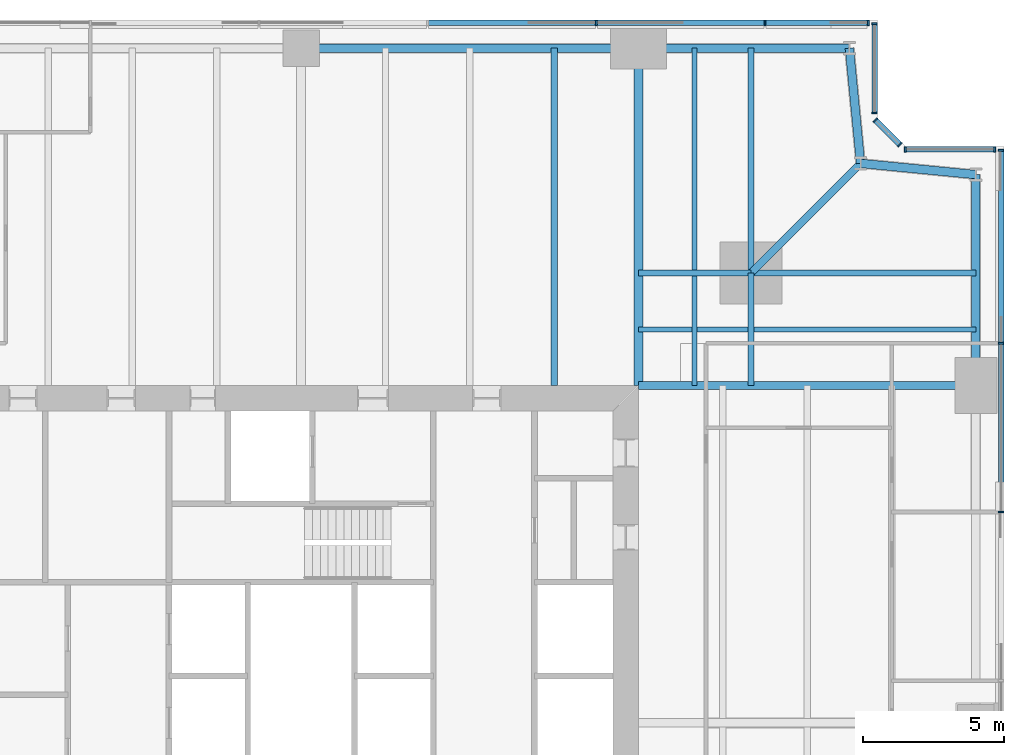
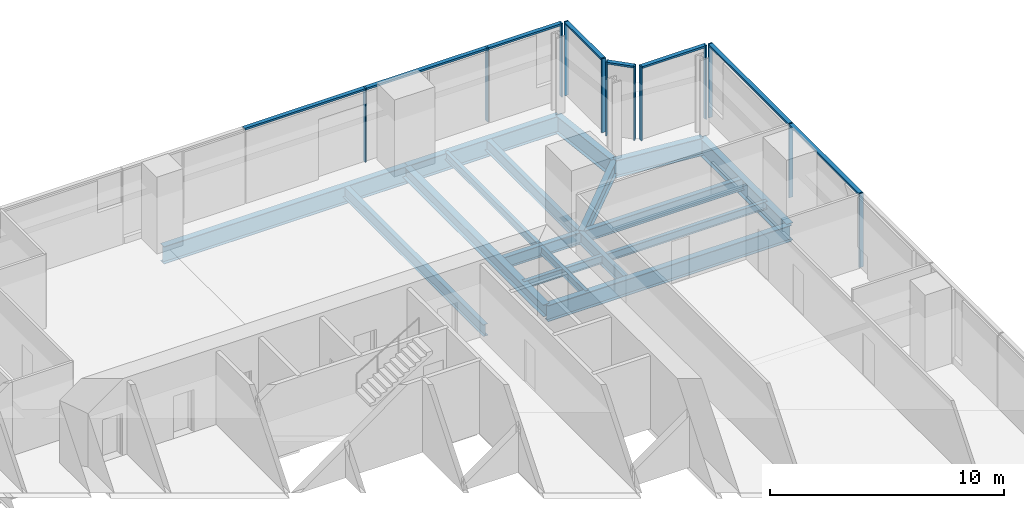
# One storey, part 7 of 14: 20 members, 18 beams, 5 elements without a shape of their own.
"""IFC4 building model written with IfcOpenShell, lengths in metres."""

from ifc_helpers import new_model, si_unit, direction, frame, origin, origin_2d, place, context, subcontext, project, spatial, rectangle, i_section, extrude, material, material_profile, profile_set, type_object, element, aggregate, save


model = new_model("IFC4")

# Units and contexts
model_context = context("Model", 3, precision=1e-05, world=origin(), true_north=direction((0.0, 1.0)))
body_context = subcontext(model_context, "Body", "Model", "MODEL_VIEW")
ifc_project = project(units=[si_unit("LENGTHUNIT", "METRE"), si_unit("AREAUNIT", "SQUARE_METRE"), si_unit("VOLUMEUNIT", "CUBIC_METRE"), si_unit("PLANEANGLEUNIT", "RADIAN"), si_unit("MASSUNIT", "GRAM", prefix="KILO")], contexts=[model_context])

# Site, building, storey
site_placement = place(None, origin())
site = spatial("IfcSite", under=ifc_project, at=site_placement, CompositionType="ELEMENT")
building_placement = place(site_placement, origin())
building = spatial("IfcBuilding", under=site, at=building_placement, Name="Fenwick Lantern Interchange", CompositionType="ELEMENT")
storey_placement = place(building_placement, frame((0.0, 0.0, 150.39990234375)))
storey = spatial("IfcBuildingStorey", under=building, at=storey_placement, Name="L35", CompositionType="ELEMENT", Elevation=150.39990234375)

# Beams
ifc_material_1 = material(Name="Steel ASTM A992 Grade 50", Category="steel")
ifc_material_profile_1 = material_profile(ifc_material_1, i_section(OverallWidth=0.3046875, OverallDepth=0.911865234375, WebThickness=0.015869140625, FlangeThickness=0.02392578125, at=origin_2d()), Name="W36X150")
ifc_profile_set_1 = profile_set([ifc_material_profile_1], Name="Steel ASTM A992 Grade 50")
beam_type_1 = type_object("IfcBeamType", Name="EDGE BEAM W36X150", PredefinedType="SPANDREL", material=ifc_profile_set_1)
beam_1_placement = place(storey_placement, frame((49.0, 37.0, -0.605712890625), z_axis=(0.0, 1.0, 0.0), x_axis=(-1.0, 0.0, 0.0)))
element("IfcBeam", 1, at=beam_1_placement, inside=storey, type_object=beam_type_1, Name="L35/FR/E/EB4", PredefinedType="SPANDREL", context=body_context, shape_type="SweptSolid", body=[
    extrude(i_section(OverallWidth=0.3046875, OverallDepth=0.911865234375, WebThickness=0.015869140625, FlangeThickness=0.02392578125, at=origin_2d()), origin(), (0.0, 0.0, 1.0), 7.5),
])
for number, where, z_axis, x_axis, name in (
    (2, (49.0, 44.5, -0.605712890625), (-0.995277148028, 0.097074191287, 0.0), (-0.097074191287, -0.995277148028, 0.0), "L35/FR/E/EBR1"),
    (3, (44.89990234375, 44.89990234375, -0.605712890625), (-0.097074191287, 0.995277148028, 0.0), (-0.995277148028, -0.097074191287, 0.0), "L35/FR/E/EBR2"),
):
    element("IfcBeam", number, at=place(storey_placement, frame(where, z_axis=z_axis, x_axis=x_axis)), inside=storey, type_object=beam_type_1, Name=name, PredefinedType="SPANDREL", context=body_context, shape_type="SweptSolid", body=[
        extrude(i_section(OverallWidth=0.3046875, OverallDepth=0.911865234375, WebThickness=0.015869140625, FlangeThickness=0.02392578125, at=origin_2d()), origin(), (0.0, 0.0, 1.0), 4.11962890625),
    ])
beam_2_placement = place(storey_placement, frame((44.5, 49.0, -0.605712890625), z_axis=(-1.0, 0.0, 0.0), x_axis=(0.0, -1.0, 0.0)))
element("IfcBeam", 4, at=beam_2_placement, inside=storey, type_object=beam_type_1, Name="L35/FR/N/EB1", PredefinedType="SPANDREL", context=body_context, shape_type="SweptSolid", body=[
    extrude(i_section(OverallWidth=0.3046875, OverallDepth=0.911865234375, WebThickness=0.015869140625, FlangeThickness=0.02392578125, at=origin_2d()), origin(), (0.0, 0.0, 1.0), 7.5),
])
beam_3_placement = place(storey_placement, frame((37.0, 49.0, -0.605712890625), z_axis=(-1.0, 0.0, 0.0), x_axis=(0.0, -1.0, 0.0)))
element("IfcBeam", 5, at=beam_3_placement, inside=storey, type_object=beam_type_1, Name="L35/FR/N/EB2", PredefinedType="SPANDREL", context=body_context, shape_type="SweptSolid", body=[
    extrude(i_section(OverallWidth=0.3046875, OverallDepth=0.911865234375, WebThickness=0.015869140625, FlangeThickness=0.02392578125, at=origin_2d()), origin(), (0.0, 0.0, 1.0), 12.0),
])
ifc_material_profile_2 = material_profile(ifc_material_1, i_section(OverallWidth=0.22900390625, OverallDepth=0.612060546875, WebThickness=0.011962890625, FlangeThickness=0.01953125, at=origin_2d()), Name="W24X84")
ifc_profile_set_2 = profile_set([ifc_material_profile_2], Name="Steel ASTM A992 Grade 50")
beam_type_2 = type_object("IfcBeamType", Name="FLOOR BEAM W24X84", PredefinedType="BEAM", material=ifc_profile_set_2)
beam_4_placement = place(storey_placement, frame((34.0, 49.0, -0.4560546875), z_axis=(0.0, -1.0, 0.0), x_axis=(1.0, 0.0, 0.0)))
element("IfcBeam", 6, at=beam_4_placement, inside=storey, type_object=beam_type_2, Name="L35/FR/N/R02", PredefinedType="BEAM", context=body_context, shape_type="SweptSolid", body=[
    extrude(i_section(OverallWidth=0.22900390625, OverallDepth=0.612060546875, WebThickness=0.011962890625, FlangeThickness=0.01953125, at=origin_2d()), origin(), (0.0, 0.0, 1.0), 12.0),
])
ifc_material_profile_3 = material_profile(ifc_material_1, i_section(OverallWidth=0.177734375, OverallDepth=0.406494140625, WebThickness=0.0078125, FlangeThickness=0.012939453125, at=origin_2d()), Name="W16X40")
ifc_profile_set_3 = profile_set([ifc_material_profile_3], Name="Steel ASTM A992 Grade 50")
beam_type_3 = type_object("IfcBeamType", Name="INFILL BEAM W16X40", PredefinedType="JOIST", material=ifc_profile_set_3)
beam_5_placement = place(storey_placement, frame((39.0, 49.0, -0.35302734375), z_axis=(0.0, -1.0, 0.0), x_axis=(1.0, 0.0, 0.0)))
element("IfcBeam", 7, at=beam_5_placement, inside=storey, type_object=beam_type_3, Name="L35/FR/N/J1", PredefinedType="JOIST", context=body_context, shape_type="SweptSolid", body=[
    extrude(i_section(OverallWidth=0.177734375, OverallDepth=0.406494140625, WebThickness=0.0078125, FlangeThickness=0.012939453125, at=origin_2d()), origin(), (0.0, 0.0, 1.0), 7.885498046875),
])
beam_6_placement = place(storey_placement, frame((39.0, 40.885498046875, -0.35302734375), z_axis=(0.0, -1.0, 0.0), x_axis=(1.0, 0.0, 0.0)))
element("IfcBeam", 8, at=beam_6_placement, inside=storey, type_object=beam_type_3, Name="L35/FR/N/J2", PredefinedType="JOIST", context=body_context, shape_type="SweptSolid", body=[
    extrude(i_section(OverallWidth=0.177734375, OverallDepth=0.406494140625, WebThickness=0.0078125, FlangeThickness=0.012939453125, at=origin_2d()), origin(), (0.0, 0.0, 1.0), 3.885498046875),
])
beam_7_placement = place(storey_placement, frame((49.0, 39.0, -0.35302734375), z_axis=(-1.0, 0.0, 0.0), x_axis=(0.0, -1.0, 0.0)))
element("IfcBeam", 9, at=beam_7_placement, inside=storey, type_object=beam_type_3, Name="L35/FR/N/J3", PredefinedType="JOIST", context=body_context, shape_type="SweptSolid", body=[
    extrude(i_section(OverallWidth=0.177734375, OverallDepth=0.406494140625, WebThickness=0.0078125, FlangeThickness=0.012939453125, at=origin_2d()), origin(), (0.0, 0.0, 1.0), 7.885498046875),
])
beam_8_placement = place(storey_placement, frame((40.885498046875, 39.0, -0.35302734375), z_axis=(-1.0, 0.0, 0.0), x_axis=(0.0, -1.0, 0.0)))
element("IfcBeam", 10, at=beam_8_placement, inside=storey, type_object=beam_type_3, Name="L35/FR/N/J4", PredefinedType="JOIST", context=body_context, shape_type="SweptSolid", body=[
    extrude(i_section(OverallWidth=0.177734375, OverallDepth=0.406494140625, WebThickness=0.0078125, FlangeThickness=0.012939453125, at=origin_2d()), origin(), (0.0, 0.0, 1.0), 1.796630859375),
])
beam_9_placement = place(storey_placement, frame((38.9111328125, 39.0, -0.35302734375), z_axis=(-1.0, 0.0, 0.0), x_axis=(0.0, -1.0, 0.0)))
element("IfcBeam", 11, at=beam_9_placement, inside=storey, type_object=beam_type_3, Name="L35/FR/N/J5", PredefinedType="JOIST", context=body_context, shape_type="SweptSolid", body=[
    extrude(i_section(OverallWidth=0.177734375, OverallDepth=0.406494140625, WebThickness=0.0078125, FlangeThickness=0.012939453125, at=origin_2d()), origin(), (0.0, 0.0, 1.0), 1.9111328125),
])
ifc_material_profile_4 = material_profile(ifc_material_1, i_section(OverallWidth=0.22900390625, OverallDepth=0.612060546875, WebThickness=0.011962890625, FlangeThickness=0.01953125, at=origin_2d()), Name="W24X84")
ifc_profile_set_4 = profile_set([ifc_material_profile_4], Name="Steel ASTM A992 Grade 50")
beam_type_4 = type_object("IfcBeamType", Name="MEGA COLUMN BEAM W24X84", PredefinedType="BEAM", material=ifc_profile_set_4)
for number, where, z_axis, x_axis, name in (
    (12, (41.0, 41.0, -0.4560546875), (0.0, 1.0, 0.0), (-1.0, 0.0, 0.0), "L35/FR/N/MB1"),
    (13, (41.0, 41.0, -0.4560546875), (1.0, 0.0, 0.0), (0.0, 1.0, 0.0), "L35/FR/N/MB2"),
):
    element("IfcBeam", number, at=place(storey_placement, frame(where, z_axis=z_axis, x_axis=x_axis)), inside=storey, type_object=beam_type_4, Name=name, PredefinedType="BEAM", context=body_context, shape_type="SweptSolid", body=[
        extrude(i_section(OverallWidth=0.22900390625, OverallDepth=0.612060546875, WebThickness=0.011962890625, FlangeThickness=0.01953125, at=origin_2d()), origin(), (0.0, 0.0, 1.0), 8.0),
    ])
for number, where, z_axis, x_axis, name in (
    (14, (41.0, 41.0, -0.4560546875), (-1.0, 0.0, 0.0), (0.0, -1.0, 0.0), "L35/FR/N/MB3"),
    (15, (41.0, 41.0, -0.4560546875), (0.0, -1.0, 0.0), (1.0, 0.0, 0.0), "L35/FR/N/MB4"),
):
    element("IfcBeam", number, at=place(storey_placement, frame(where, z_axis=z_axis, x_axis=x_axis)), inside=storey, type_object=beam_type_4, Name=name, PredefinedType="BEAM", context=body_context, shape_type="SweptSolid", body=[
        extrude(i_section(OverallWidth=0.22900390625, OverallDepth=0.612060546875, WebThickness=0.011962890625, FlangeThickness=0.01953125, at=origin_2d()), origin(), (0.0, 0.0, 1.0), 4.0),
    ])
ifc_material_profile_5 = material_profile(ifc_material_1, i_section(OverallWidth=0.32763671875, OverallDepth=0.622314453125, WebThickness=0.015380859375, FlangeThickness=0.0244140625, at=origin_2d()), Name="W24X131")
ifc_profile_set_5 = profile_set([ifc_material_profile_5], Name="Steel ASTM A992 Grade 50")
beam_type_5 = type_object("IfcBeamType", Name="MOMENT-CONNECTED GIRDER W24X131", PredefinedType="BEAM", material=ifc_profile_set_5)
beam_10_placement = place(storey_placement, frame((37.0, 49.0, -0.4609375), z_axis=(0.0, -1.0, 0.0), x_axis=(1.0, 0.0, 0.0)))
element("IfcBeam", 16, at=beam_10_placement, inside=storey, type_object=beam_type_5, Name="L35/FR/N/R01", PredefinedType="BEAM", context=body_context, shape_type="SweptSolid", body=[
    extrude(i_section(OverallWidth=0.32763671875, OverallDepth=0.622314453125, WebThickness=0.015380859375, FlangeThickness=0.0244140625, at=origin_2d()), origin(), (0.0, 0.0, 1.0), 12.0),
])
ifc_material_profile_6 = material_profile(ifc_material_1, i_section(OverallWidth=0.2919921875, OverallDepth=0.845703125, WebThickness=0.015380859375, FlangeThickness=0.0244140625, at=origin_2d()), Name="W33X141")
ifc_profile_set_6 = profile_set([ifc_material_profile_6], Name="Steel ASTM A992 Grade 50")
beam_type_6 = type_object("IfcBeamType", Name="MOMENT-CONNECTED GIRDER W33X141", PredefinedType="BEAM", material=ifc_profile_set_6)
beam_11_placement = place(storey_placement, frame((49.0, 37.0, -0.57275390625), z_axis=(-1.0, 0.0, 0.0), x_axis=(0.0, -1.0, 0.0)))
element("IfcBeam", 17, at=beam_11_placement, inside=storey, type_object=beam_type_6, Name="L35/FR/E/R03", PredefinedType="BEAM", context=body_context, shape_type="SweptSolid", body=[
    extrude(i_section(OverallWidth=0.2919921875, OverallDepth=0.845703125, WebThickness=0.015380859375, FlangeThickness=0.0244140625, at=origin_2d()), origin(), (0.0, 0.0, 1.0), 12.0),
])
ifc_material_profile_7 = material_profile(ifc_material_1, i_section(OverallWidth=0.2666015625, OverallDepth=0.7568359375, WebThickness=0.013916015625, FlangeThickness=0.019287109375, at=origin_2d()), Name="W30X108")
ifc_profile_set_7 = profile_set([ifc_material_profile_7], Name="Steel ASTM A992 Grade 50")
beam_type_7 = type_object("IfcBeamType", Name="NOTCH BEAM W30X108", PredefinedType="BEAM", material=ifc_profile_set_7)
beam_12_placement = place(storey_placement, frame((41.0, 41.0, -0.5283203125), z_axis=(0.707106781187, 0.707106781187, 0.0), x_axis=(-0.707106781187, 0.707106781187, 0.0)))
element("IfcBeam", 18, at=beam_12_placement, inside=storey, type_object=beam_type_7, Name="L35/FR/N/TG", PredefinedType="BEAM", context=body_context, shape_type="SweptSolid", body=[
    extrude(i_section(OverallWidth=0.2666015625, OverallDepth=0.7568359375, WebThickness=0.013916015625, FlangeThickness=0.019287109375, at=origin_2d()), origin(), (0.0, 0.0, 1.0), 5.515380859375),
])

# Curtain wall, members
ifc_material_2 = material(Name="Aluminium curtain wall frame", Category="aluminium")
curtain_wall_type = type_object("IfcCurtainWallType", Name="OFFICE CURTAIN WALL", PredefinedType="USERDEFINED", material=ifc_material_2)
curtain_wall_1_placement = place(storey_placement, origin())
curtain_wall_1 = element("IfcCurtainWall", 19, at=curtain_wall_1_placement, inside=storey, type_object=curtain_wall_type, Name="Office curtain wall 05", ObjectType="OFFICE CURTAIN WALL", PredefinedType="USERDEFINED")
ifc_material_3 = material(Name="Aluminium extrusion", Category="aluminium")
ifc_material_profile_8 = material_profile(ifc_material_3, rectangle(XDim=0.199951171875, YDim=0.06494140625, at=origin_2d()), Name="OFFICE CURTAIN WALL MULLION 65 X 200")
ifc_profile_set_8 = profile_set([ifc_material_profile_8], Name="Aluminium extrusion")
member_type_1 = type_object("IfcMemberType", Name="OFFICE CURTAIN WALL MULLION 65 X 200", PredefinedType="MULLION", material=ifc_profile_set_8)
member_1_placement = place(storey_placement, frame((49.89990234375, 32.5, 0.0), z_axis=(0.0, 0.0, 1.0), x_axis=(-1.0, 0.0, 0.0)))
member_1 = element("IfcMember", 20, at=member_1_placement, type_object=member_type_1, Name="L35/CW/05/M05", PredefinedType="MULLION", context=body_context, shape_type="SweptSolid", body=[
    extrude(rectangle(XDim=0.199951171875, YDim=0.06494140625, at=origin_2d()), origin(), (0.0, 0.0, 1.0), 3.85009765625),
])
member_2_placement = place(storey_placement, frame((49.89990234375, 38.5, 0.0), z_axis=(0.0, 0.0, 1.0), x_axis=(-1.0, 0.0, 0.0)))
member_2 = element("IfcMember", 21, at=member_2_placement, type_object=member_type_1, Name="L35/CW/05/M06", PredefinedType="MULLION", context=body_context, shape_type="SweptSolid", body=[
    extrude(rectangle(XDim=0.199951171875, YDim=0.06494140625, at=origin_2d()), origin(), (0.0, 0.0, 1.0), 3.85009765625),
])
member_3_placement = place(storey_placement, frame((49.89990234375, 45.367431640625, 0.0), z_axis=(0.0, 0.0, 1.0), x_axis=(-1.0, 0.0, 0.0)))
member_3 = element("IfcMember", 22, at=member_3_placement, type_object=member_type_1, Name="L35/CW/05/M07", PredefinedType="MULLION", context=body_context, shape_type="SweptSolid", body=[
    extrude(rectangle(XDim=0.199951171875, YDim=0.06494140625, at=origin_2d()), origin(), (0.0, 0.0, 1.0), 3.85009765625),
])

curtain_wall_2_placement = place(storey_placement, origin())
curtain_wall_2 = element("IfcCurtainWall", 23, at=curtain_wall_2_placement, inside=storey, type_object=curtain_wall_type, Name="Office curtain wall 06", ObjectType="OFFICE CURTAIN WALL", PredefinedType="USERDEFINED")
member_4_placement = place(storey_placement, frame((49.66748046875, 45.39990234375, 0.0), z_axis=(0.0, 0.0, 1.0), x_axis=(0.0, -1.0, 0.0)))
member_4 = element("IfcMember", 24, at=member_4_placement, type_object=member_type_1, Name="L35/CW/06/M00", PredefinedType="MULLION", context=body_context, shape_type="SweptSolid", body=[
    extrude(rectangle(XDim=0.199951171875, YDim=0.06494140625, at=origin_2d()), origin(), (0.0, 0.0, 1.0), 3.85009765625),
])
member_5_placement = place(storey_placement, frame((46.490966796875, 45.39990234375, 0.0), z_axis=(0.0, 0.0, 1.0), x_axis=(0.0, -1.0, 0.0)))
member_5 = element("IfcMember", 25, at=member_5_placement, type_object=member_type_1, Name="L35/CW/06/M01", PredefinedType="MULLION", context=body_context, shape_type="SweptSolid", body=[
    extrude(rectangle(XDim=0.199951171875, YDim=0.06494140625, at=origin_2d()), origin(), (0.0, 0.0, 1.0), 3.85009765625),
])

curtain_wall_3_placement = place(storey_placement, origin())
curtain_wall_3 = element("IfcCurtainWall", 26, at=curtain_wall_3_placement, inside=storey, type_object=curtain_wall_type, Name="Office curtain wall 07", ObjectType="OFFICE CURTAIN WALL", PredefinedType="USERDEFINED")
member_6_placement = place(storey_placement, frame((46.294189453125, 45.564453125, 0.0), z_axis=(0.0, 0.0, 1.0), x_axis=(-0.707106781187, -0.707106781187, 0.0)))
member_6 = element("IfcMember", 27, at=member_6_placement, type_object=member_type_1, Name="L35/CW/07/M00", PredefinedType="MULLION", context=body_context, shape_type="SweptSolid", body=[
    extrude(rectangle(XDim=0.199951171875, YDim=0.06494140625, at=origin_2d()), origin(), (0.0, 0.0, 1.0), 3.85009765625),
])
member_7_placement = place(storey_placement, frame((45.423095703125, 46.435546875, 0.0), z_axis=(0.0, 0.0, 1.0), x_axis=(-0.707106781187, -0.707106781187, 0.0)))
member_7 = element("IfcMember", 28, at=member_7_placement, type_object=member_type_1, Name="L35/CW/07/M01", PredefinedType="MULLION", context=body_context, shape_type="SweptSolid", body=[
    extrude(rectangle(XDim=0.199951171875, YDim=0.06494140625, at=origin_2d()), origin(), (0.0, 0.0, 1.0), 3.85009765625),
])

curtain_wall_4_placement = place(storey_placement, origin())
curtain_wall_4 = element("IfcCurtainWall", 29, at=curtain_wall_4_placement, inside=storey, type_object=curtain_wall_type, Name="Office curtain wall 08", ObjectType="OFFICE CURTAIN WALL", PredefinedType="USERDEFINED")
member_8_placement = place(storey_placement, frame((45.39990234375, 46.691162109375, 0.0), z_axis=(0.0, 0.0, 1.0), x_axis=(-1.0, 0.0, 0.0)))
member_8 = element("IfcMember", 30, at=member_8_placement, type_object=member_type_1, Name="L35/CW/08/M00", PredefinedType="MULLION", context=body_context, shape_type="SweptSolid", body=[
    extrude(rectangle(XDim=0.199951171875, YDim=0.06494140625, at=origin_2d()), origin(), (0.0, 0.0, 1.0), 3.85009765625),
])
member_9_placement = place(storey_placement, frame((45.39990234375, 49.867431640625, 0.0), z_axis=(0.0, 0.0, 1.0), x_axis=(-1.0, 0.0, 0.0)))
member_9 = element("IfcMember", 31, at=member_9_placement, type_object=member_type_1, Name="L35/CW/08/M01", PredefinedType="MULLION", context=body_context, shape_type="SweptSolid", body=[
    extrude(rectangle(XDim=0.199951171875, YDim=0.06494140625, at=origin_2d()), origin(), (0.0, 0.0, 1.0), 3.85009765625),
])

curtain_wall_5_placement = place(storey_placement, origin())
curtain_wall_5 = element("IfcCurtainWall", 32, at=curtain_wall_5_placement, inside=storey, type_object=curtain_wall_type, Name="Office curtain wall 09", ObjectType="OFFICE CURTAIN WALL", PredefinedType="USERDEFINED")
member_10_placement = place(storey_placement, frame((45.16748046875, 49.89990234375, 0.0), z_axis=(0.0, 0.0, 1.0), x_axis=(0.0, -1.0, 0.0)))
member_10 = element("IfcMember", 33, at=member_10_placement, type_object=member_type_1, Name="L35/CW/09/M00", PredefinedType="MULLION", context=body_context, shape_type="SweptSolid", body=[
    extrude(rectangle(XDim=0.199951171875, YDim=0.06494140625, at=origin_2d()), origin(), (0.0, 0.0, 1.0), 3.85009765625),
])
member_11_placement = place(storey_placement, frame((41.5, 49.89990234375, 0.0), z_axis=(0.0, 0.0, 1.0), x_axis=(0.0, -1.0, 0.0)))
member_11 = element("IfcMember", 34, at=member_11_placement, type_object=member_type_1, Name="L35/CW/09/M01", PredefinedType="MULLION", context=body_context, shape_type="SweptSolid", body=[
    extrude(rectangle(XDim=0.199951171875, YDim=0.06494140625, at=origin_2d()), origin(), (0.0, 0.0, 1.0), 3.85009765625),
])
member_12_placement = place(storey_placement, frame((35.5, 49.89990234375, 0.0), z_axis=(0.0, 0.0, 1.0), x_axis=(0.0, -1.0, 0.0)))
member_12 = element("IfcMember", 35, at=member_12_placement, type_object=member_type_1, Name="L35/CW/09/M02", PredefinedType="MULLION", context=body_context, shape_type="SweptSolid", body=[
    extrude(rectangle(XDim=0.199951171875, YDim=0.06494140625, at=origin_2d()), origin(), (0.0, 0.0, 1.0), 3.85009765625),
])

# Member
ifc_material_profile_9 = material_profile(ifc_material_3, rectangle(XDim=0.199951171875, YDim=0.10009765625, at=origin_2d()), Name="OFFICE CURTAIN WALL TRANSOM 100 X 200")
ifc_profile_set_9 = profile_set([ifc_material_profile_9], Name="Aluminium extrusion")
member_type_2 = type_object("IfcMemberType", Name="OFFICE CURTAIN WALL TRANSOM 100 X 200", PredefinedType="MULLION", material=ifc_profile_set_9)
member_13_placement = place(storey_placement, frame((49.89990234375, 32.532470703125, 3.800048828125), z_axis=(0.0, 1.0, 0.0), x_axis=(-1.0, 0.0, 0.0)))
member_13 = element("IfcMember", 36, at=member_13_placement, type_object=member_type_2, Name="L35/CW/05/T05", PredefinedType="MULLION", context=body_context, shape_type="SweptSolid", body=[
    extrude(rectangle(XDim=0.199951171875, YDim=0.10009765625, at=origin_2d()), origin(), (0.0, 0.0, 1.0), 5.93505859375),
])

member_14_placement = place(storey_placement, frame((49.89990234375, 38.532470703125, 3.800048828125), z_axis=(0.0, 1.0, 0.0), x_axis=(-1.0, 0.0, 0.0)))
member_14 = element("IfcMember", 37, at=member_14_placement, type_object=member_type_2, Name="L35/CW/05/T06", PredefinedType="MULLION", context=body_context, shape_type="SweptSolid", body=[
    extrude(rectangle(XDim=0.199951171875, YDim=0.10009765625, at=origin_2d()), origin(), (0.0, 0.0, 1.0), 6.802490234375),
])

aggregate(curtain_wall_1, [member_1, member_2, member_3, member_13, member_14])

member_15_placement = place(storey_placement, frame((49.635009765625, 45.39990234375, 3.800048828125), z_axis=(-1.0, 0.0, 0.0), x_axis=(0.0, -1.0, 0.0)))
member_15 = element("IfcMember", 38, at=member_15_placement, type_object=member_type_2, Name="L35/CW/06/T00", PredefinedType="MULLION", context=body_context, shape_type="SweptSolid", body=[
    extrude(rectangle(XDim=0.199951171875, YDim=0.10009765625, at=origin_2d()), origin(), (0.0, 0.0, 1.0), 3.111328125),
])

aggregate(curtain_wall_2, [member_4, member_5, member_15])

member_16_placement = place(storey_placement, frame((46.271240234375, 45.58740234375, 3.800048828125), z_axis=(-0.707106781187, 0.707106781187, 0.0), x_axis=(-0.707106781187, -0.707106781187, 0.0)))
member_16 = element("IfcMember", 39, at=member_16_placement, type_object=member_type_2, Name="L35/CW/07/T00", PredefinedType="MULLION", context=body_context, shape_type="SweptSolid", body=[
    extrude(rectangle(XDim=0.199951171875, YDim=0.10009765625, at=origin_2d()), origin(), (0.0, 0.0, 1.0), 1.1669921875),
])

aggregate(curtain_wall_3, [member_6, member_7, member_16])

member_17_placement = place(storey_placement, frame((45.39990234375, 46.7236328125, 3.800048828125), z_axis=(0.0, 1.0, 0.0), x_axis=(-1.0, 0.0, 0.0)))
member_17 = element("IfcMember", 40, at=member_17_placement, type_object=member_type_2, Name="L35/CW/08/T00", PredefinedType="MULLION", context=body_context, shape_type="SweptSolid", body=[
    extrude(rectangle(XDim=0.199951171875, YDim=0.10009765625, at=origin_2d()), origin(), (0.0, 0.0, 1.0), 3.111328125),
])

aggregate(curtain_wall_4, [member_8, member_9, member_17])

member_18_placement = place(storey_placement, frame((45.135009765625, 49.89990234375, 3.800048828125), z_axis=(-1.0, 0.0, 0.0), x_axis=(0.0, -1.0, 0.0)))
member_18 = element("IfcMember", 41, at=member_18_placement, type_object=member_type_2, Name="L35/CW/09/T00", PredefinedType="MULLION", context=body_context, shape_type="SweptSolid", body=[
    extrude(rectangle(XDim=0.199951171875, YDim=0.10009765625, at=origin_2d()), origin(), (0.0, 0.0, 1.0), 3.6025390625),
])

member_19_placement = place(storey_placement, frame((41.467529296875, 49.89990234375, 3.800048828125), z_axis=(-1.0, 0.0, 0.0), x_axis=(0.0, -1.0, 0.0)))
member_19 = element("IfcMember", 42, at=member_19_placement, type_object=member_type_2, Name="L35/CW/09/T01", PredefinedType="MULLION", context=body_context, shape_type="SweptSolid", body=[
    extrude(rectangle(XDim=0.199951171875, YDim=0.10009765625, at=origin_2d()), origin(), (0.0, 0.0, 1.0), 5.93505859375),
])

member_20_placement = place(storey_placement, frame((35.467529296875, 49.89990234375, 3.800048828125), z_axis=(-1.0, 0.0, 0.0), x_axis=(0.0, -1.0, 0.0)))
member_20 = element("IfcMember", 43, at=member_20_placement, type_object=member_type_2, Name="L35/CW/09/T02", PredefinedType="MULLION", context=body_context, shape_type="SweptSolid", body=[
    extrude(rectangle(XDim=0.199951171875, YDim=0.10009765625, at=origin_2d()), origin(), (0.0, 0.0, 1.0), 5.93505859375),
])

aggregate(curtain_wall_5, [member_10, member_11, member_12, member_18, member_19, member_20])

save(model, "model.ifc")
